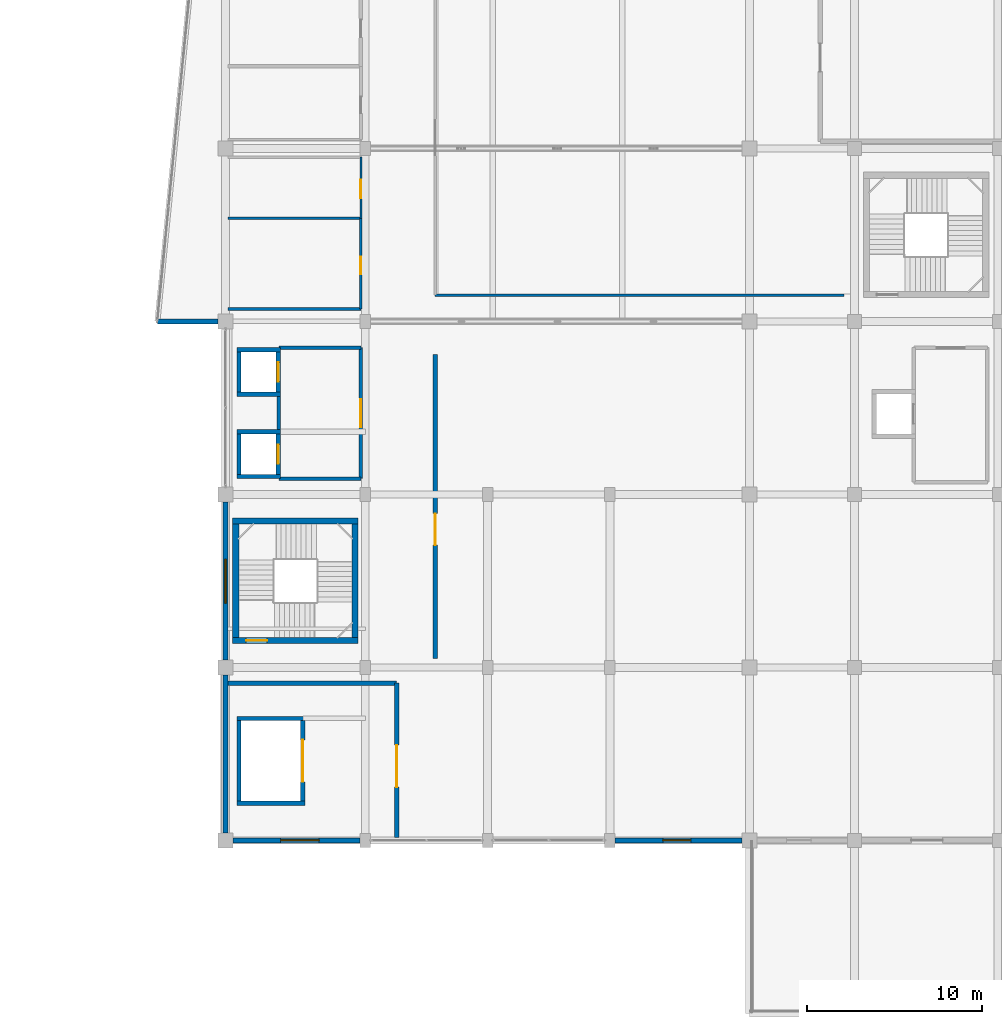
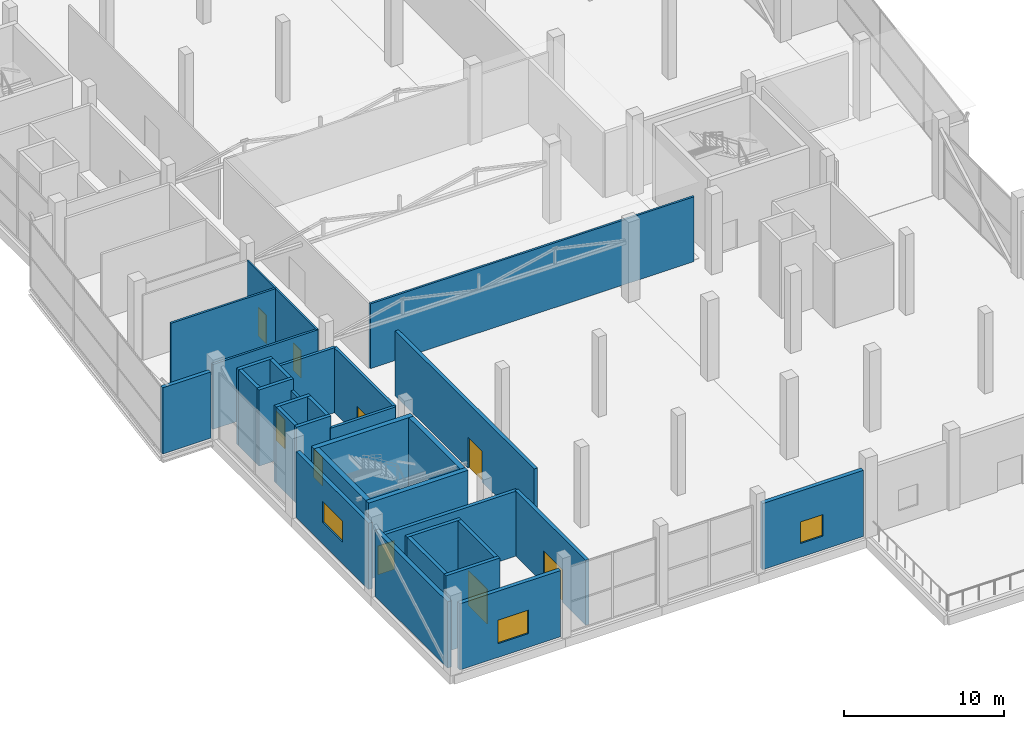
# One storey, part 38 of 58: 33 walls, 9 doors, 3 windows, 12 openings.
"""IFC4 building model written with IfcOpenShell, lengths in metres."""

from ifc_helpers import new_model, si_unit, direction, frame, frame_2d, origin, place, context, subcontext, project, spatial, rectangle, extrude, material, layer, layer_set, type_object, element, fill, save


model = new_model("IFC4")

# Units and contexts
model_context = context("Model", 3, precision=1e-05, world=origin(), true_north=direction((0.0, 1.0)))
body_context = subcontext(model_context, "Body", "Model", "MODEL_VIEW")
ifc_project = project(units=[si_unit("LENGTHUNIT", "METRE"), si_unit("AREAUNIT", "SQUARE_METRE"), si_unit("VOLUMEUNIT", "CUBIC_METRE"), si_unit("PLANEANGLEUNIT", "RADIAN"), si_unit("MASSUNIT", "GRAM", prefix="KILO")], contexts=[model_context])

# Site, building, storey
site_placement = place(None, origin())
site = spatial("IfcSite", under=ifc_project, at=site_placement, CompositionType="ELEMENT")
building_placement = place(site_placement, origin())
building = spatial("IfcBuilding", under=site, at=building_placement, Name="Sillaruma Civic Art Gallery", CompositionType="ELEMENT")
storey_placement = place(building_placement, frame((0.0, 0.0, 22.43994140625)))
storey = spatial("IfcBuildingStorey", under=building, at=storey_placement, Name="L04", CompositionType="ELEMENT", Elevation=22.43994140625)

# Wall, opening, door
ifc_material_1 = material(Name="Concrete H40 (40 MPa)", Category="concrete")
ifc_layer_1 = layer(ifc_material_1, 0.35009765625, Name="Concrete H40 (40 MPa)")
ifc_layer_set_1 = layer_set([ifc_layer_1], Name="Concrete H40 (40 MPa)")
wall_type_1 = type_object("IfcWallType", Name="WAL-CORE-350", PredefinedType="SHEAR", material=ifc_layer_set_1)
wall_1_placement = place(storey_placement, frame((62.409912109375, 31.235107421875, 0.0), z_axis=(0.0, 0.0, 1.0), x_axis=(1.0, 0.0, 0.0)))
wall_1 = element("IfcWall", 1, at=wall_1_placement, inside=storey, type_object=wall_type_1, Name="Stair Core Shear Wall W-CORE-350 (ST-03:L04:S)", PredefinedType="SHEAR", context=body_context, shape_type="SweptSolid", body=[
    extrude(rectangle(XDim=7.18017578125, YDim=0.35009765625, at=frame_2d((3.590087890625, 0.0))), origin(), (0.0, 0.0, 1.0), 5.840087890625),
])
opening_1_placement = place(wall_1_placement, frame((0.77001953125, 0.0, 0.0)))
opening_1 = element("IfcOpeningElement", 2, at=opening_1_placement, cuts=wall_1, Name="Opening D-STAIR", PredefinedType="OPENING", context=body_context, shape_type="SweptSolid", body=[
    extrude(rectangle(XDim=1.199951171875, YDim=2.199951171875, at=frame_2d((0.60009765625, 1.10009765625))), frame((0.0, 0.18505859375, 0.0), z_axis=(0.0, -1.0, 0.0), x_axis=(1.0, 0.0, 0.0)), (0.0, 0.0, 1.0), 0.3701171875),
])
ifc_material_2 = material(Name="Galvanised Steel ASTM A653 Gr.50", Category="steel")
door_type_1 = type_object("IfcDoorType", Name="DOR-STAIR-120", OperationType="NOTDEFINED", PredefinedType="DOOR", material=ifc_material_2)
door_1_placement = place(opening_1_placement, origin())
door_1 = element("IfcDoor", 3, at=door_1_placement, inside=storey, type_object=door_type_1, Name="Protected Stair Fire Door (ST-03:L04)", OperationType="SINGLE_SWING_RIGHT", OverallHeight=2.199951171875, OverallWidth=1.199951171875, PredefinedType="DOOR", context=body_context, shape_type="SweptSolid", body=[
    extrude(rectangle(XDim=1.199951171875, YDim=2.199951171875, at=frame_2d((0.60009765625, 1.10009765625))), frame((0.0, 0.02490234375, 0.0), z_axis=(0.0, -1.0, 0.0), x_axis=(1.0, 0.0, 0.0)), (0.0, 0.0, 1.0), 0.050048828125),
])
fill(opening_1, door_1)

# Walls
wall_2_placement = place(storey_placement, frame((62.409912109375, 38.06494140625, 0.0), z_axis=(0.0, 0.0, 1.0), x_axis=(1.0, 0.0, 0.0)))
element("IfcWall", 4, at=wall_2_placement, inside=storey, type_object=wall_type_1, Name="Stair Core Shear Wall W-CORE-350 (ST-03:L04:N)", PredefinedType="SHEAR", context=body_context, shape_type="SweptSolid", body=[
    extrude(rectangle(XDim=7.18017578125, YDim=0.35009765625, at=frame_2d((3.590087890625, 0.0))), origin(), (0.0, 0.0, 1.0), 5.840087890625),
])
for number, where, z_axis, x_axis, name in (
    (5, (62.5849609375, 31.409912109375, 0.0), (0.0, 0.0, 1.0), (0.0, 1.0, 0.0), "Stair Core Shear Wall W-CORE-350 (ST-03:L04:W)"),
    (6, (69.4150390625, 31.409912109375, 0.0), (0.0, 0.0, 1.0), (0.0, 1.0, 0.0), "Stair Core Shear Wall W-CORE-350 (ST-03:L04:E)"),
):
    element("IfcWall", number, at=place(storey_placement, frame(where, z_axis=z_axis, x_axis=x_axis)), inside=storey, type_object=wall_type_1, Name=name, PredefinedType="SHEAR", context=body_context, shape_type="SweptSolid", body=[
        extrude(rectangle(XDim=6.47998046875, YDim=0.35009765625, at=frame_2d((3.239990234375, 0.0))), origin(), (0.0, 0.0, 1.0), 5.840087890625),
    ])

# Wall, opening, window
ifc_material_3 = material(Name="Concrete H35 (35 MPa)", Category="concrete")
ifc_layer_2 = layer(ifc_material_3, 0.159912109375, Name="Concrete backup", Category="concrete")
ifc_material_4 = material(Name="Mineral Wool Thermal Insulation", Category="insulation")
ifc_layer_3 = layer(ifc_material_4, 0.090087890625, Name="Thermal insulation", Category="insulation")
ifc_material_5 = material(Name="Anodised Zinc-Aluminium Alloy", Category="aluminium")
ifc_layer_4 = layer(ifc_material_5, 0.030029296875, Name="Rainscreen finish", Category="aluminium")
ifc_layer_set_2 = layer_set([ifc_layer_2, ifc_layer_3, ifc_layer_4], Name="W-EXT-280")
wall_type_2 = type_object("IfcWallType", Name="WAL-EXT-280", PredefinedType="SOLIDWALL", material=ifc_layer_set_2)
wall_3_placement = place(storey_placement, frame((62.0, 30.125, 0.0), z_axis=(0.0, 0.0, 1.0), x_axis=(0.0, 1.0, 0.0)))
wall_3 = element("IfcWall", 7, at=wall_3_placement, inside=storey, type_object=wall_type_2, Name="Exterior Wall W-EXT-280 (EW-L04-W-2)", PredefinedType="SOLIDWALL", context=body_context, shape_type="SweptSolid", body=[
    extrude(rectangle(XDim=9.050048828125, YDim=0.280029296875, at=frame_2d((4.52490234375, 0.0))), origin(), (0.0, 0.0, 1.0), 5.06005859375),
])
opening_2_placement = place(wall_3_placement, frame((3.25, 0.0, 1.64990234375)))
opening_2 = element("IfcOpeningElement", 8, at=opening_2_placement, cuts=wall_3, Name="Opening WN-11", PredefinedType="OPENING", context=body_context, shape_type="SweptSolid", body=[
    extrude(rectangle(XDim=2.5, YDim=1.60009765625, at=frame_2d((1.25, 0.800048828125))), frame((0.0, 0.14990234375, 0.0), z_axis=(0.0, -1.0, 0.0), x_axis=(1.0, 0.0, 0.0)), (0.0, 0.0, 1.0), 0.300048828125),
])
ifc_material_6 = material(Name="Thermally Broken Extruded Aluminium 6063-T6", Category="aluminium")
window_type_1 = type_object("IfcWindowType", Name="WIN-W11", PartitioningType="SINGLE_PANEL", PredefinedType="WINDOW", material=ifc_material_6)
window_1_placement = place(opening_2_placement, origin())
window_1 = element("IfcWindow", 9, at=window_1_placement, inside=storey, type_object=window_type_1, Name="Window WN-11 (EW-L04-W-2-1)", OverallHeight=1.60009765625, OverallWidth=2.5, PartitioningType="SINGLE_PANEL", PredefinedType="WINDOW", context=body_context, shape_type="SweptSolid", body=[
    extrude(rectangle(XDim=2.5, YDim=1.60009765625, at=frame_2d((1.25, 0.800048828125))), frame((0.0, 0.030029296875, 0.0), z_axis=(0.0, -1.0, 0.0), x_axis=(1.0, 0.0, 0.0)), (0.0, 0.0, 1.0), 0.06005859375),
])
fill(opening_2, window_1)

# Wall
wall_4_placement = place(storey_placement, frame((58.10009765625, 49.5, 0.0), z_axis=(0.0, 0.0, 1.0), x_axis=(1.0, 0.0, 0.0)))
element("IfcWall", 10, at=wall_4_placement, inside=storey, type_object=wall_type_2, Name="Exterior Wall W-EXT-280 (EW-PRW-L04-W-S3)", PredefinedType="SOLIDWALL", context=body_context, shape_type="SweptSolid", body=[
    extrude(rectangle(XDim=3.474853515625, YDim=0.280029296875, at=frame_2d((1.7373046875, 0.0))), origin(), (0.0, 0.0, 1.0), 5.06005859375),
])

# Wall, opening, window
ifc_layer_5 = layer(ifc_material_3, 0.169921875, Name="Concrete backup", Category="concrete")
ifc_layer_6 = layer(ifc_material_4, 0.090087890625, Name="Thermal insulation", Category="insulation")
ifc_layer_7 = layer(ifc_material_5, 0.030029296875, Name="Rainscreen finish", Category="aluminium")
ifc_layer_set_3 = layer_set([ifc_layer_5, ifc_layer_6, ifc_layer_7], Name="W-EXT-290")
wall_type_3 = type_object("IfcWallType", Name="WAL-EXT-290", PredefinedType="SOLIDWALL", material=ifc_layer_set_3)
wall_5_placement = place(storey_placement, frame((62.425048828125, 19.800048828125, 0.0), z_axis=(0.0, 0.0, 1.0), x_axis=(1.0, 0.0, 0.0)))
wall_5 = element("IfcWall", 11, at=wall_5_placement, inside=storey, type_object=wall_type_3, Name="Exterior Wall W-EXT-290 (EW-L04-S-1)", PredefinedType="SOLIDWALL", context=body_context, shape_type="SweptSolid", body=[
    extrude(rectangle(XDim=7.27490234375, YDim=0.2900390625, at=frame_2d((3.637451171875, 0.0))), origin(), (0.0, 0.0, 1.0), 5.06005859375),
])
opening_3_placement = place(wall_5_placement, frame((2.738037109375, 0.0, 1.050048828125)))
opening_3 = element("IfcOpeningElement", 12, at=opening_3_placement, cuts=wall_5, Name="Opening WN-02", PredefinedType="OPENING", context=body_context, shape_type="SweptSolid", body=[
    extrude(rectangle(XDim=2.199951171875, YDim=1.800048828125, at=frame_2d((1.10009765625, 0.89990234375))), frame((0.0, 0.155029296875, 0.0), z_axis=(0.0, -1.0, 0.0), x_axis=(1.0, 0.0, 0.0)), (0.0, 0.0, 1.0), 0.31005859375),
])
window_type_2 = type_object("IfcWindowType", Name="WIN-W02", PartitioningType="SINGLE_PANEL", PredefinedType="WINDOW", material=ifc_material_6)
window_2_placement = place(opening_3_placement, origin())
window_2 = element("IfcWindow", 13, at=window_2_placement, inside=storey, type_object=window_type_2, Name="Window WN-02 (EW-L04-S-1-1)", OverallHeight=1.800048828125, OverallWidth=2.199951171875, PartitioningType="SINGLE_PANEL", PredefinedType="WINDOW", context=body_context, shape_type="SweptSolid", body=[
    extrude(rectangle(XDim=2.199951171875, YDim=1.800048828125, at=frame_2d((1.10009765625, 0.89990234375))), frame((0.0, 0.030029296875, 0.0), z_axis=(0.0, -1.0, 0.0), x_axis=(1.0, 0.0, 0.0)), (0.0, 0.0, 1.0), 0.06005859375),
])
fill(opening_3, window_2)

wall_6_placement = place(storey_placement, frame((84.300048828125, 19.800048828125, 0.0), z_axis=(0.0, 0.0, 1.0), x_axis=(1.0, 0.0, 0.0)))
wall_6 = element("IfcWall", 14, at=wall_6_placement, inside=storey, type_object=wall_type_3, Name="Exterior Wall W-EXT-290 (EW-L04-S-4)", PredefinedType="SOLIDWALL", context=body_context, shape_type="SweptSolid", body=[
    extrude(rectangle(XDim=7.27490234375, YDim=0.2900390625, at=frame_2d((3.637451171875, 0.0))), origin(), (0.0, 0.0, 1.0), 5.06005859375),
])
opening_4_placement = place(wall_6_placement, frame((2.738037109375, 0.0, 1.050048828125)))
opening_4 = element("IfcOpeningElement", 15, at=opening_4_placement, cuts=wall_6, Name="Opening WN-05", PredefinedType="OPENING", context=body_context, shape_type="SweptSolid", body=[
    extrude(rectangle(XDim=1.60009765625, YDim=1.64990234375, at=frame_2d((0.800048828125, 0.824951171875))), frame((0.0, 0.155029296875, 0.0), z_axis=(0.0, -1.0, 0.0), x_axis=(1.0, 0.0, 0.0)), (0.0, 0.0, 1.0), 0.31005859375),
])
window_type_3 = type_object("IfcWindowType", Name="WIN-W05", PartitioningType="SINGLE_PANEL", PredefinedType="WINDOW", material=ifc_material_6)
window_3_placement = place(opening_4_placement, origin())
window_3 = element("IfcWindow", 16, at=window_3_placement, inside=storey, type_object=window_type_3, Name="Window WN-05 (EW-L04-S-4-1)", OverallHeight=1.64990234375, OverallWidth=1.60009765625, PartitioningType="SINGLE_PANEL", PredefinedType="WINDOW", context=body_context, shape_type="SweptSolid", body=[
    extrude(rectangle(XDim=1.60009765625, YDim=1.64990234375, at=frame_2d((0.800048828125, 0.824951171875))), frame((0.0, 0.030029296875, 0.0), z_axis=(0.0, -1.0, 0.0), x_axis=(1.0, 0.0, 0.0)), (0.0, 0.0, 1.0), 0.06005859375),
])
fill(opening_4, window_3)

# Walls
ifc_material_7 = material(Name="Precast Concrete H35 (35 MPa)", Category="concrete")
ifc_layer_8 = layer(ifc_material_7, 0.179931640625, Name="Precast backup", Category="concrete")
ifc_layer_9 = layer(ifc_material_4, 0.090087890625, Name="Thermal insulation", Category="insulation")
ifc_material_8 = material(Name="Comanche Granitic Ashlar Stone", Category="masonry")
ifc_layer_10 = layer(ifc_material_8, 0.030029296875, Name="Rainscreen cladding", Category="masonry")
ifc_layer_set_4 = layer_set([ifc_layer_8, ifc_layer_9, ifc_layer_10], Name="W-EXT-300")
wall_type_4 = type_object("IfcWallType", Name="WAL-EXT-300", PredefinedType="SOLIDWALL", material=ifc_layer_set_4)
wall_7_placement = place(storey_placement, frame((62.0, 20.22509765625, 0.0), z_axis=(0.0, 0.0, 1.0), x_axis=(0.0, 1.0, 0.0)))
element("IfcWall", 17, at=wall_7_placement, inside=storey, type_object=wall_type_4, Name="Exterior Wall W-EXT-300 (EW-L04-W-1)", PredefinedType="SOLIDWALL", context=body_context, shape_type="SweptSolid", body=[
    extrude(rectangle(XDim=9.0498046875, YDim=0.300048828125, at=frame_2d((4.52490234375, 0.0))), origin(), (0.0, 0.0, 1.0), 5.06005859375),
])
ifc_material_9 = material(Name="Concrete Masonry Unit Grade M15", Category="masonry")
ifc_layer_11 = layer(ifc_material_9, 0.199951171875, Name="Concrete Masonry Unit Grade M15")
ifc_layer_set_5 = layer_set([ifc_layer_11], Name="Concrete Masonry Unit Grade M15")
wall_type_5 = type_object("IfcWallType", Name="WAL-LOBBY-200", PredefinedType="SOLIDWALL", material=ifc_layer_set_5)
for number, where, z_axis, x_axis, name in (
    (18, (65.050048828125, 40.5, 0.0), (0.0, 0.0, 1.0), (1.0, 0.0, 0.0), "Interior Wall W-LOBBY-200 (L04-LLW)"),
    (19, (65.050048828125, 48.0, 0.0), (0.0, 0.0, 1.0), (1.0, 0.0, 0.0), "Interior Wall W-LOBBY-200 (L04-LLW)"),
):
    element("IfcWall", number, at=place(storey_placement, frame(where, z_axis=z_axis, x_axis=x_axis)), inside=storey, type_object=wall_type_5, Name=name, PredefinedType="SOLIDWALL", context=body_context, shape_type="SweptSolid", body=[
        extrude(rectangle(XDim=4.699951171875, YDim=0.199951171875, at=frame_2d((2.35009765625, 0.0))), origin(), (0.0, 0.0, 1.0), 4.9599609375),
    ])
wall_8_placement = place(storey_placement, frame((65.050048828125, 43.300048828125, 0.0), z_axis=(0.0, 0.0, 1.0), x_axis=(0.0, 1.0, 0.0)))
element("IfcWall", 20, at=wall_8_placement, inside=storey, type_object=wall_type_5, Name="Interior Wall W-LOBBY-200 (L04-LLW)", PredefinedType="SOLIDWALL", context=body_context, shape_type="SweptSolid", body=[
    extrude(rectangle(XDim=1.89990234375, YDim=0.199951171875, at=frame_2d((0.949951171875, 0.0))), origin(), (0.0, 0.0, 1.0), 4.9599609375),
])

# Wall, opening, door
wall_9_placement = place(storey_placement, frame((69.75, 40.5, 0.0), z_axis=(0.0, 0.0, 1.0), x_axis=(0.0, 1.0, 0.0)))
wall_9 = element("IfcWall", 21, at=wall_9_placement, inside=storey, type_object=wall_type_5, Name="Interior Wall W-LOBBY-200 (L04-LLW)", PredefinedType="SOLIDWALL", context=body_context, shape_type="SweptSolid", body=[
    extrude(rectangle(XDim=7.5, YDim=0.199951171875, at=frame_2d((3.75, 0.0))), origin(), (0.0, 0.0, 1.0), 4.9599609375),
])
opening_5_placement = place(wall_9_placement, frame((2.949951171875, 0.0, 0.0)))
opening_5 = element("IfcOpeningElement", 22, at=opening_5_placement, cuts=wall_9, Name="Opening D-LOBBY", PredefinedType="OPENING", context=body_context, shape_type="SweptSolid", body=[
    extrude(rectangle(XDim=1.60009765625, YDim=2.199951171875, at=frame_2d((0.800048828125, 1.10009765625))), frame((0.0, 0.10986328125, 0.0), z_axis=(0.0, -1.0, 0.0), x_axis=(1.0, 0.0, 0.0)), (0.0, 0.0, 1.0), 0.219970703125),
])
door_type_2 = type_object("IfcDoorType", Name="DOR-LOBBY-160", OperationType="NOTDEFINED", PredefinedType="DOOR", material=ifc_material_6)
door_2_placement = place(opening_5_placement, origin())
door_2 = element("IfcDoor", 23, at=door_2_placement, inside=storey, type_object=door_type_2, Name="West Lift Lobby Door (D-LOBBY)", OperationType="DOUBLE_DOOR_SINGLE_SWING", OverallHeight=2.199951171875, OverallWidth=1.60009765625, PredefinedType="DOOR", context=body_context, shape_type="SweptSolid", body=[
    extrude(rectangle(XDim=1.60009765625, YDim=2.199951171875, at=frame_2d((0.800048828125, 1.10009765625))), frame((0.0, 0.02490234375, 0.0), z_axis=(0.0, -1.0, 0.0), x_axis=(1.0, 0.0, 0.0)), (0.0, 0.0, 1.0), 0.050048828125),
])
fill(opening_5, door_2)

ifc_material_10 = material(Name="Gypsum Acoustic Board", Category="gypsum")
ifc_layer_12 = layer(ifc_material_10, 0.02490234375, Name="Finish board", Category="gypsum")
ifc_layer_13 = layer(ifc_material_4, 0.070068359375, Name="Acoustic core", Category="insulation")
ifc_material_11 = material(Name="Andean Oak Timber", Category="wood")
ifc_layer_14 = layer(ifc_material_11, 0.02490234375, Name="Gallery lining", Category="wood")
ifc_layer_set_6 = layer_set([ifc_layer_12, ifc_layer_13, ifc_layer_14], Name="W-PT-120")
wall_type_6 = type_object("IfcWallType", Name="WAL-PART-120", PredefinedType="PARTITIONING", material=ifc_layer_set_6)
wall_10_placement = place(storey_placement, frame((69.75, 55.39990234375, 0.0), z_axis=(0.0, 0.0, 1.0), x_axis=(0.0, 1.0, 0.0)))
wall_10 = element("IfcWall", 24, at=wall_10_placement, inside=storey, type_object=wall_type_6, Name="Interior Wall W-PT-120 (L04-WCA)", PredefinedType="PARTITIONING", context=body_context, shape_type="SweptSolid", body=[
    extrude(rectangle(XDim=3.5, YDim=0.1201171875, at=frame_2d((1.75, 0.0))), origin(), (0.0, 0.0, 1.0), 4.9599609375),
])
opening_6_placement = place(wall_10_placement, frame((1.14990234375, 0.0, 0.0)))
opening_6 = element("IfcOpeningElement", 25, at=opening_6_placement, cuts=wall_10, Name="Opening D-AWC10", PredefinedType="OPENING", context=body_context, shape_type="SweptSolid", body=[
    extrude(rectangle(XDim=1.050048828125, YDim=2.14990234375, at=frame_2d((0.52490234375, 1.074951171875))), frame((0.0, 0.070068359375, 0.0), z_axis=(0.0, -1.0, 0.0), x_axis=(1.0, 0.0, 0.0)), (0.0, 0.0, 1.0), 0.14013671875),
])
door_type_3 = type_object("IfcDoorType", Name="DOR-AWC-105", OperationType="NOTDEFINED", PredefinedType="DOOR", material=ifc_material_11)
door_3_placement = place(opening_6_placement, origin())
door_3 = element("IfcDoor", 26, at=door_3_placement, inside=storey, type_object=door_type_3, Name="Accessible WC Door (D-AWC10)", OperationType="SINGLE_SWING_LEFT", OverallHeight=2.14990234375, OverallWidth=1.050048828125, PredefinedType="DOOR", context=body_context, shape_type="SweptSolid", body=[
    extrude(rectangle(XDim=1.050048828125, YDim=2.14990234375, at=frame_2d((0.52490234375, 1.074951171875))), frame((0.0, 0.02490234375, 0.0), z_axis=(0.0, -1.0, 0.0), x_axis=(1.0, 0.0, 0.0)), (0.0, 0.0, 1.0), 0.050048828125),
])
fill(opening_6, door_3)

ifc_layer_15 = layer(ifc_material_10, 0.02490234375, Name="Finish board", Category="gypsum")
ifc_layer_16 = layer(ifc_material_4, 0.090087890625, Name="Acoustic core", Category="insulation")
ifc_layer_17 = layer(ifc_material_11, 0.02490234375, Name="Gallery lining", Category="wood")
ifc_layer_set_7 = layer_set([ifc_layer_15, ifc_layer_16, ifc_layer_17], Name="W-PT-140")
wall_type_7 = type_object("IfcWallType", Name="WAL-PART-140", PredefinedType="PARTITIONING", material=ifc_layer_set_7)
wall_11_placement = place(storey_placement, frame((69.75, 50.199951171875, 0.0), z_axis=(0.0, 0.0, 1.0), x_axis=(0.0, 1.0, 0.0)))
wall_11 = element("IfcWall", 27, at=wall_11_placement, inside=storey, type_object=wall_type_7, Name="Interior Wall W-PT-140 (L04-WC1)", PredefinedType="PARTITIONING", context=body_context, shape_type="SweptSolid", body=[
    extrude(rectangle(XDim=5.199951171875, YDim=0.139892578125, at=frame_2d((2.60009765625, 0.0))), origin(), (0.0, 0.0, 1.0), 4.9599609375),
])
opening_7_placement = place(wall_11_placement, frame((2.0, 0.0, 0.0)))
opening_7 = element("IfcOpeningElement", 28, at=opening_7_placement, cuts=wall_11, Name="Opening D-WC10", PredefinedType="OPENING", context=body_context, shape_type="SweptSolid", body=[
    extrude(rectangle(XDim=1.0, YDim=2.10009765625, at=frame_2d((0.5, 1.050048828125))), frame((0.0, 0.079833984375, 0.0), z_axis=(0.0, -1.0, 0.0), x_axis=(1.0, 0.0, 0.0)), (0.0, 0.0, 1.0), 0.159912109375),
])
door_type_4 = type_object("IfcDoorType", Name="DOR-WC-100", OperationType="NOTDEFINED", PredefinedType="DOOR", material=ifc_material_11)
door_4_placement = place(opening_7_placement, origin())
door_4 = element("IfcDoor", 29, at=door_4_placement, inside=storey, type_object=door_type_4, Name="Public WC Door (D-WC10)", OperationType="SINGLE_SWING_RIGHT", OverallHeight=2.10009765625, OverallWidth=1.0, PredefinedType="DOOR", context=body_context, shape_type="SweptSolid", body=[
    extrude(rectangle(XDim=1.0, YDim=2.10009765625, at=frame_2d((0.5, 1.050048828125))), frame((0.0, 0.02490234375, 0.0), z_axis=(0.0, -1.0, 0.0), x_axis=(1.0, 0.0, 0.0)), (0.0, 0.0, 1.0), 0.050048828125),
])
fill(opening_7, door_4)

# Walls
ifc_layer_18 = layer(ifc_material_10, 0.02490234375, Name="Finish board", Category="gypsum")
ifc_layer_19 = layer(ifc_material_4, 0.10009765625, Name="Acoustic core", Category="insulation")
ifc_layer_20 = layer(ifc_material_11, 0.02490234375, Name="Gallery lining", Category="wood")
ifc_layer_set_8 = layer_set([ifc_layer_18, ifc_layer_19, ifc_layer_20], Name="W-PT-150")
wall_type_8 = type_object("IfcWallType", Name="WAL-PART-150", PredefinedType="PARTITIONING", material=ifc_layer_set_8)
wall_12_placement = place(storey_placement, frame((62.14990234375, 55.39990234375, 0.0), z_axis=(0.0, 0.0, 1.0), x_axis=(1.0, 0.0, 0.0)))
element("IfcWall", 30, at=wall_12_placement, inside=storey, type_object=wall_type_8, Name="Interior Wall W-PT-150 (L04-WC1)", PredefinedType="PARTITIONING", context=body_context, shape_type="SweptSolid", body=[
    extrude(rectangle(XDim=7.60009765625, YDim=0.14990234375, at=frame_2d((3.800048828125, 0.0))), origin(), (0.0, 0.0, 1.0), 4.9599609375),
])
wall_13_placement = place(storey_placement, frame((74.0, 51.0, 0.0), z_axis=(0.0, 0.0, 1.0), x_axis=(1.0, 0.0, 0.0)))
element("IfcWall", 31, at=wall_13_placement, inside=storey, type_object=wall_type_8, Name="Interior Wall W-PT-150 (L04-GAL41)", PredefinedType="PARTITIONING", context=body_context, shape_type="SweptSolid", body=[
    extrude(rectangle(XDim=23.39990234375, YDim=0.14990234375, at=frame_2d((11.699951171875, 0.0))), origin(), (0.0, 0.0, 1.0), 4.9599609375),
])
ifc_layer_21 = layer(ifc_material_10, 0.02490234375, Name="Finish board", Category="gypsum")
ifc_layer_22 = layer(ifc_material_4, 0.114990234375, Name="Acoustic core", Category="insulation")
ifc_layer_23 = layer(ifc_material_11, 0.02490234375, Name="Gallery lining", Category="wood")
ifc_layer_set_9 = layer_set([ifc_layer_21, ifc_layer_22, ifc_layer_23], Name="W-PT-165")
wall_type_9 = type_object("IfcWallType", Name="WAL-PART-165", PredefinedType="PARTITIONING", material=ifc_layer_set_9)
wall_14_placement = place(storey_placement, frame((62.14990234375, 50.199951171875, 0.0), z_axis=(0.0, 0.0, 1.0), x_axis=(1.0, 0.0, 0.0)))
element("IfcWall", 32, at=wall_14_placement, inside=storey, type_object=wall_type_9, Name="Interior Wall W-PT-165 (L04-WC1)", PredefinedType="PARTITIONING", context=body_context, shape_type="SweptSolid", body=[
    extrude(rectangle(XDim=7.60009765625, YDim=0.1650390625, at=frame_2d((3.800048828125, 0.0))), origin(), (0.0, 0.0, 1.0), 4.9599609375),
])
ifc_layer_24 = layer(ifc_material_1, 0.25, Name="Concrete H40 (40 MPa)")
ifc_layer_set_10 = layer_set([ifc_layer_24], Name="Concrete H40 (40 MPa)")
wall_type_10 = type_object("IfcWallType", Name="WAL-SHAFT-250", PredefinedType="SOLIDWALL", material=ifc_layer_set_10)
for number, where, z_axis, x_axis, name in (
    (33, (62.64990234375, 40.625, 0.0), (0.0, 0.0, 1.0), (1.0, 0.0, 0.0), "Lift Shaft Wall W-SHAFT-250 (PL-01:L04:S)"),
    (34, (62.64990234375, 43.175048828125, 0.0), (0.0, 0.0, 1.0), (1.0, 0.0, 0.0), "Lift Shaft Wall W-SHAFT-250 (PL-01:L04:N)"),
):
    element("IfcWall", number, at=place(storey_placement, frame(where, z_axis=z_axis, x_axis=x_axis)), inside=storey, type_object=wall_type_10, Name=name, PredefinedType="SOLIDWALL", context=body_context, shape_type="SweptSolid", body=[
        extrude(rectangle(XDim=2.5, YDim=0.25, at=frame_2d((1.25, 0.0))), origin(), (0.0, 0.0, 1.0), 5.820068359375),
    ])
wall_15_placement = place(storey_placement, frame((62.77490234375, 40.75, 0.0), z_axis=(0.0, 0.0, 1.0), x_axis=(0.0, 1.0, 0.0)))
element("IfcWall", 35, at=wall_15_placement, inside=storey, type_object=wall_type_10, Name="Lift Shaft Wall W-SHAFT-250 (PL-01:L04:W)", PredefinedType="SOLIDWALL", context=body_context, shape_type="SweptSolid", body=[
    extrude(rectangle(XDim=2.300048828125, YDim=0.25, at=frame_2d((1.14990234375, 0.0))), origin(), (0.0, 0.0, 1.0), 5.820068359375),
])

# Wall, opening, door
wall_16_placement = place(storey_placement, frame((65.02490234375, 40.75, 0.0), z_axis=(0.0, 0.0, 1.0), x_axis=(0.0, 1.0, 0.0)))
wall_16 = element("IfcWall", 36, at=wall_16_placement, inside=storey, type_object=wall_type_10, Name="Lift Shaft Wall W-SHAFT-250 (PL-01:L04:E)", PredefinedType="SOLIDWALL", context=body_context, shape_type="SweptSolid", body=[
    extrude(rectangle(XDim=2.300048828125, YDim=0.25, at=frame_2d((1.14990234375, 0.0))), origin(), (0.0, 0.0, 1.0), 5.820068359375),
])
opening_8_placement = place(wall_16_placement, frame((0.60009765625, 0.0, 0.0)))
opening_8 = element("IfcOpeningElement", 37, at=opening_8_placement, cuts=wall_16, Name="Opening LD-01", PredefinedType="OPENING", context=body_context, shape_type="SweptSolid", body=[
    extrude(rectangle(XDim=1.10009765625, YDim=2.199951171875, at=frame_2d((0.550048828125, 1.10009765625))), frame((0.0, 0.135009765625, 0.0), z_axis=(0.0, -1.0, 0.0), x_axis=(1.0, 0.0, 0.0)), (0.0, 0.0, 1.0), 0.27001953125),
])
door_type_5 = type_object("IfcDoorType", Name="DOR-LD-01", OperationType="NOTDEFINED", PredefinedType="DOOR", material=ifc_material_2)
door_5_placement = place(opening_8_placement, origin())
door_5 = element("IfcDoor", 38, at=door_5_placement, inside=storey, type_object=door_type_5, Name="Lift Sliding Landing Door LD-01 (PL-01:L04)", OperationType="DOUBLE_DOOR_SLIDING", OverallHeight=2.199951171875, OverallWidth=1.10009765625, PredefinedType="DOOR", context=body_context, shape_type="SweptSolid", body=[
    extrude(rectangle(XDim=1.10009765625, YDim=2.199951171875, at=frame_2d((0.550048828125, 1.10009765625))), frame((0.0, 0.02490234375, 0.0), z_axis=(0.0, -1.0, 0.0), x_axis=(1.0, 0.0, 0.0)), (0.0, 0.0, 1.0), 0.050048828125),
])
fill(opening_8, door_5)

# Walls
for number, where, z_axis, x_axis, name in (
    (39, (62.64990234375, 45.324951171875, 0.0), (0.0, 0.0, 1.0), (1.0, 0.0, 0.0), "Lift Shaft Wall W-SHAFT-250 (PL-02:L04:S)"),
    (40, (62.64990234375, 47.875, 0.0), (0.0, 0.0, 1.0), (1.0, 0.0, 0.0), "Lift Shaft Wall W-SHAFT-250 (PL-02:L04:N)"),
):
    element("IfcWall", number, at=place(storey_placement, frame(where, z_axis=z_axis, x_axis=x_axis)), inside=storey, type_object=wall_type_10, Name=name, PredefinedType="SOLIDWALL", context=body_context, shape_type="SweptSolid", body=[
        extrude(rectangle(XDim=2.5, YDim=0.25, at=frame_2d((1.25, 0.0))), origin(), (0.0, 0.0, 1.0), 5.820068359375),
    ])
wall_17_placement = place(storey_placement, frame((62.77490234375, 45.449951171875, 0.0), z_axis=(0.0, 0.0, 1.0), x_axis=(0.0, 1.0, 0.0)))
element("IfcWall", 41, at=wall_17_placement, inside=storey, type_object=wall_type_10, Name="Lift Shaft Wall W-SHAFT-250 (PL-02:L04:W)", PredefinedType="SOLIDWALL", context=body_context, shape_type="SweptSolid", body=[
    extrude(rectangle(XDim=2.300048828125, YDim=0.25, at=frame_2d((1.14990234375, 0.0))), origin(), (0.0, 0.0, 1.0), 5.820068359375),
])

# Wall, opening, door
wall_18_placement = place(storey_placement, frame((65.02490234375, 45.449951171875, 0.0), z_axis=(0.0, 0.0, 1.0), x_axis=(0.0, 1.0, 0.0)))
wall_18 = element("IfcWall", 42, at=wall_18_placement, inside=storey, type_object=wall_type_10, Name="Lift Shaft Wall W-SHAFT-250 (PL-02:L04:E)", PredefinedType="SOLIDWALL", context=body_context, shape_type="SweptSolid", body=[
    extrude(rectangle(XDim=2.300048828125, YDim=0.25, at=frame_2d((1.14990234375, 0.0))), origin(), (0.0, 0.0, 1.0), 5.820068359375),
])
opening_9_placement = place(wall_18_placement, frame((0.60009765625, 0.0, 0.0)))
opening_9 = element("IfcOpeningElement", 43, at=opening_9_placement, cuts=wall_18, Name="Opening LD-01", PredefinedType="OPENING", context=body_context, shape_type="SweptSolid", body=[
    extrude(rectangle(XDim=1.10009765625, YDim=2.199951171875, at=frame_2d((0.550048828125, 1.10009765625))), frame((0.0, 0.135009765625, 0.0), z_axis=(0.0, -1.0, 0.0), x_axis=(1.0, 0.0, 0.0)), (0.0, 0.0, 1.0), 0.27001953125),
])
door_6_placement = place(opening_9_placement, origin())
door_6 = element("IfcDoor", 44, at=door_6_placement, inside=storey, type_object=door_type_5, Name="Lift Sliding Landing Door LD-01 (PL-02:L04)", OperationType="DOUBLE_DOOR_SLIDING", OverallHeight=2.199951171875, OverallWidth=1.10009765625, PredefinedType="DOOR", context=body_context, shape_type="SweptSolid", body=[
    extrude(rectangle(XDim=1.10009765625, YDim=2.199951171875, at=frame_2d((0.550048828125, 1.10009765625))), frame((0.0, 0.02490234375, 0.0), z_axis=(0.0, -1.0, 0.0), x_axis=(1.0, 0.0, 0.0)), (0.0, 0.0, 1.0), 0.050048828125),
])
fill(opening_9, door_6)

# Walls
for number, where, z_axis, x_axis, name in (
    (45, (62.64990234375, 21.925048828125, 0.0), (0.0, 0.0, 1.0), (1.0, 0.0, 0.0), "Lift Shaft Wall W-SHAFT-250 (GL-01:L04:S)"),
    (46, (62.64990234375, 26.77490234375, 0.0), (0.0, 0.0, 1.0), (1.0, 0.0, 0.0), "Lift Shaft Wall W-SHAFT-250 (GL-01:L04:N)"),
):
    element("IfcWall", number, at=place(storey_placement, frame(where, z_axis=z_axis, x_axis=x_axis)), inside=storey, type_object=wall_type_10, Name=name, PredefinedType="SOLIDWALL", context=body_context, shape_type="SweptSolid", body=[
        extrude(rectangle(XDim=3.900146484375, YDim=0.25, at=frame_2d((1.9501953125, 0.0))), origin(), (0.0, 0.0, 1.0), 5.820068359375),
    ])
wall_19_placement = place(storey_placement, frame((62.77490234375, 22.050048828125, 0.0), z_axis=(0.0, 0.0, 1.0), x_axis=(0.0, 1.0, 0.0)))
element("IfcWall", 47, at=wall_19_placement, inside=storey, type_object=wall_type_10, Name="Lift Shaft Wall W-SHAFT-250 (GL-01:L04:W)", PredefinedType="SOLIDWALL", context=body_context, shape_type="SweptSolid", body=[
    extrude(rectangle(XDim=4.599853515625, YDim=0.25, at=frame_2d((2.2998046875, 0.0))), origin(), (0.0, 0.0, 1.0), 5.820068359375),
])

# Wall, opening, door
wall_20_placement = place(storey_placement, frame((66.425048828125, 22.050048828125, 0.0), z_axis=(0.0, 0.0, 1.0), x_axis=(0.0, 1.0, 0.0)))
wall_20 = element("IfcWall", 48, at=wall_20_placement, inside=storey, type_object=wall_type_10, Name="Lift Shaft Wall W-SHAFT-250 (GL-01:L04:E)", PredefinedType="SOLIDWALL", context=body_context, shape_type="SweptSolid", body=[
    extrude(rectangle(XDim=4.599853515625, YDim=0.25, at=frame_2d((2.2998046875, 0.0))), origin(), (0.0, 0.0, 1.0), 5.820068359375),
])
opening_10_placement = place(wall_20_placement, frame((1.10009765625, 0.0, 0.0)))
opening_10 = element("IfcOpeningElement", 49, at=opening_10_placement, cuts=wall_20, Name="Opening LD-03", PredefinedType="OPENING", context=body_context, shape_type="SweptSolid", body=[
    extrude(rectangle(XDim=2.39990234375, YDim=2.64990234375, at=frame_2d((1.199951171875, 1.324951171875))), frame((0.0, 0.135009765625, 0.0), z_axis=(0.0, -1.0, 0.0), x_axis=(1.0, 0.0, 0.0)), (0.0, 0.0, 1.0), 0.27001953125),
])
door_type_6 = type_object("IfcDoorType", Name="DOR-LD-03", OperationType="NOTDEFINED", PredefinedType="DOOR", material=ifc_material_2)
door_7_placement = place(opening_10_placement, origin())
door_7 = element("IfcDoor", 50, at=door_7_placement, inside=storey, type_object=door_type_6, Name="Lift Sliding Landing Door LD-03 (GL-01:L04)", OperationType="DOUBLE_DOOR_SLIDING", OverallHeight=2.64990234375, OverallWidth=2.39990234375, PredefinedType="DOOR", context=body_context, shape_type="SweptSolid", body=[
    extrude(rectangle(XDim=2.39990234375, YDim=2.64990234375, at=frame_2d((1.199951171875, 1.324951171875))), frame((0.0, 0.02490234375, 0.0), z_axis=(0.0, -1.0, 0.0), x_axis=(1.0, 0.0, 0.0)), (0.0, 0.0, 1.0), 0.050048828125),
])
fill(opening_10, door_7)

# Wall
ifc_layer_25 = layer(ifc_material_9, 0.2548828125, Name="Concrete Masonry Unit Grade M15")
ifc_layer_set_11 = layer_set([ifc_layer_25], Name="Concrete Masonry Unit Grade M15")
wall_type_11 = type_object("IfcWallType", Name="WAL-STORE-250", PredefinedType="SOLIDWALL", material=ifc_layer_set_11)
wall_21_placement = place(storey_placement, frame((62.14990234375, 28.800048828125, 0.0), z_axis=(0.0, 0.0, 1.0), x_axis=(1.0, 0.0, 0.0)))
element("IfcWall", 51, at=wall_21_placement, inside=storey, type_object=wall_type_11, Name="Interior Wall W-STORE-250 (L04-AIR)", PredefinedType="SOLIDWALL", context=body_context, shape_type="SweptSolid", body=[
    extrude(rectangle(XDim=9.650146484375, YDim=0.2548828125, at=frame_2d((4.8251953125, 0.0))), origin(), (0.0, 0.0, 1.0), 4.9599609375),
])

# Wall, opening, door
wall_22_placement = place(storey_placement, frame((71.800048828125, 19.949951171875, 0.0), z_axis=(0.0, 0.0, 1.0), x_axis=(0.0, 1.0, 0.0)))
wall_22 = element("IfcWall", 52, at=wall_22_placement, inside=storey, type_object=wall_type_11, Name="Interior Wall W-STORE-250 (L04-AIR)", PredefinedType="SOLIDWALL", context=body_context, shape_type="SweptSolid", body=[
    extrude(rectangle(XDim=8.85009765625, YDim=0.2548828125, at=frame_2d((4.425048828125, 0.0))), origin(), (0.0, 0.0, 1.0), 4.9599609375),
])
opening_11_placement = place(wall_22_placement, frame((2.89990234375, 0.0, 0.0)))
opening_11 = element("IfcOpeningElement", 53, at=opening_11_placement, cuts=wall_22, Name="Opening D-STR24", PredefinedType="OPENING", context=body_context, shape_type="SweptSolid", body=[
    extrude(rectangle(XDim=2.39990234375, YDim=2.5, at=frame_2d((1.199951171875, 1.25))), frame((0.0, 0.137451171875, 0.0), z_axis=(0.0, -1.0, 0.0), x_axis=(1.0, 0.0, 0.0)), (0.0, 0.0, 1.0), 0.27490234375),
])
door_type_7 = type_object("IfcDoorType", Name="DOR-STORE-240", OperationType="NOTDEFINED", PredefinedType="DOOR", material=ifc_material_2)
door_8_placement = place(opening_11_placement, origin())
door_8 = element("IfcDoor", 54, at=door_8_placement, inside=storey, type_object=door_type_7, Name="Crate Airlock Door (D-STR24)", OperationType="DOUBLE_DOOR_SINGLE_SWING", OverallHeight=2.5, OverallWidth=2.39990234375, PredefinedType="DOOR", context=body_context, shape_type="SweptSolid", body=[
    extrude(rectangle(XDim=2.39990234375, YDim=2.5, at=frame_2d((1.199951171875, 1.25))), frame((0.0, 0.02490234375, 0.0), z_axis=(0.0, -1.0, 0.0), x_axis=(1.0, 0.0, 0.0)), (0.0, 0.0, 1.0), 0.050048828125),
])
fill(opening_11, door_8)

wall_23_placement = place(storey_placement, frame((74.0, 30.199951171875, 0.0), z_axis=(0.0, 0.0, 1.0), x_axis=(0.0, 1.0, 0.0)))
wall_23 = element("IfcWall", 55, at=wall_23_placement, inside=storey, type_object=wall_type_11, Name="Interior Wall W-STORE-250 (L04-STR42)", PredefinedType="SOLIDWALL", context=body_context, shape_type="SweptSolid", body=[
    extrude(rectangle(XDim=17.400146484375, YDim=0.2548828125, at=frame_2d((8.7001953125, 0.0))), origin(), (0.0, 0.0, 1.0), 4.9599609375),
])
opening_12_placement = place(wall_23_placement, frame((6.5, 0.0, 0.0)))
opening_12 = element("IfcOpeningElement", 56, at=opening_12_placement, cuts=wall_23, Name="Opening D-STR18", PredefinedType="OPENING", context=body_context, shape_type="SweptSolid", body=[
    extrude(rectangle(XDim=1.800048828125, YDim=2.35009765625, at=frame_2d((0.89990234375, 1.175048828125))), frame((0.0, 0.137451171875, 0.0), z_axis=(0.0, -1.0, 0.0), x_axis=(1.0, 0.0, 0.0)), (0.0, 0.0, 1.0), 0.27490234375),
])
door_type_8 = type_object("IfcDoorType", Name="DOR-STORE-180", OperationType="NOTDEFINED", PredefinedType="DOOR", material=ifc_material_2)
door_9_placement = place(opening_12_placement, origin())
door_9 = element("IfcDoor", 57, at=door_9_placement, inside=storey, type_object=door_type_8, Name="South Spine Sculpture Art Store Door (D-STR18)", OperationType="DOUBLE_DOOR_SINGLE_SWING", OverallHeight=2.35009765625, OverallWidth=1.800048828125, PredefinedType="DOOR", context=body_context, shape_type="SweptSolid", body=[
    extrude(rectangle(XDim=1.800048828125, YDim=2.35009765625, at=frame_2d((0.89990234375, 1.175048828125))), frame((0.0, 0.02490234375, 0.0), z_axis=(0.0, -1.0, 0.0), x_axis=(1.0, 0.0, 0.0)), (0.0, 0.0, 1.0), 0.050048828125),
])
fill(opening_12, door_9)

save(model, "model.ifc")
